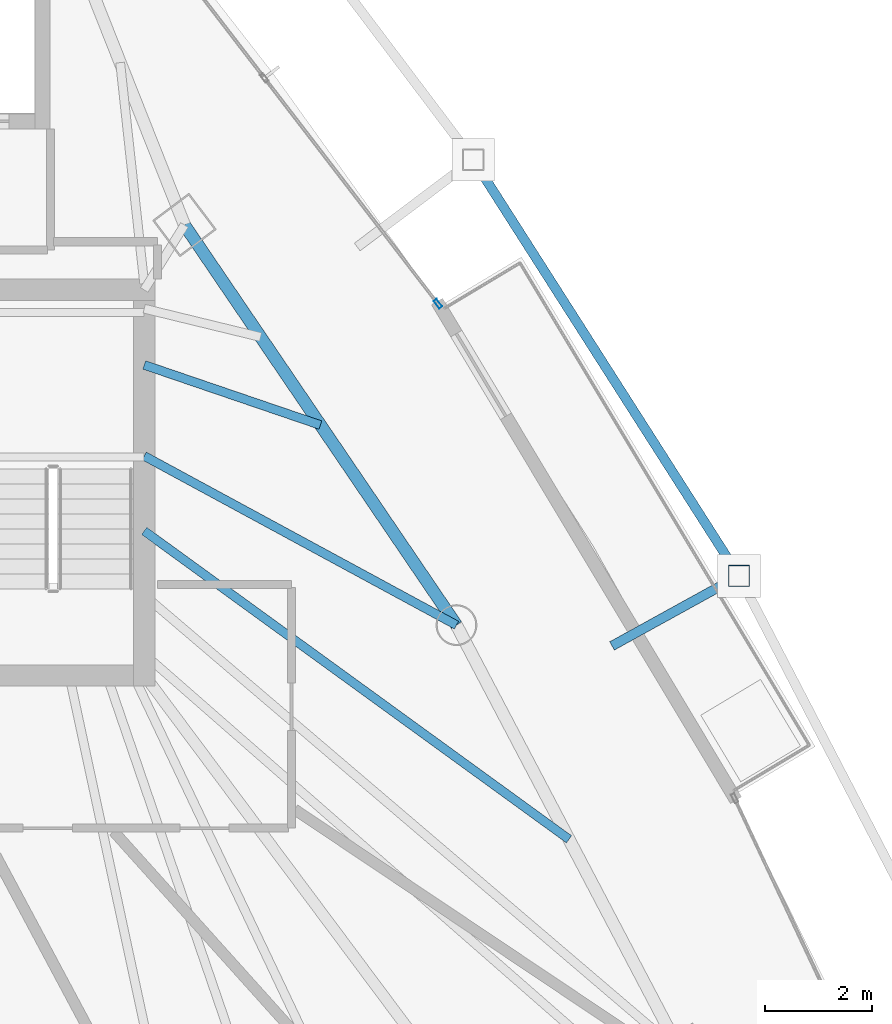
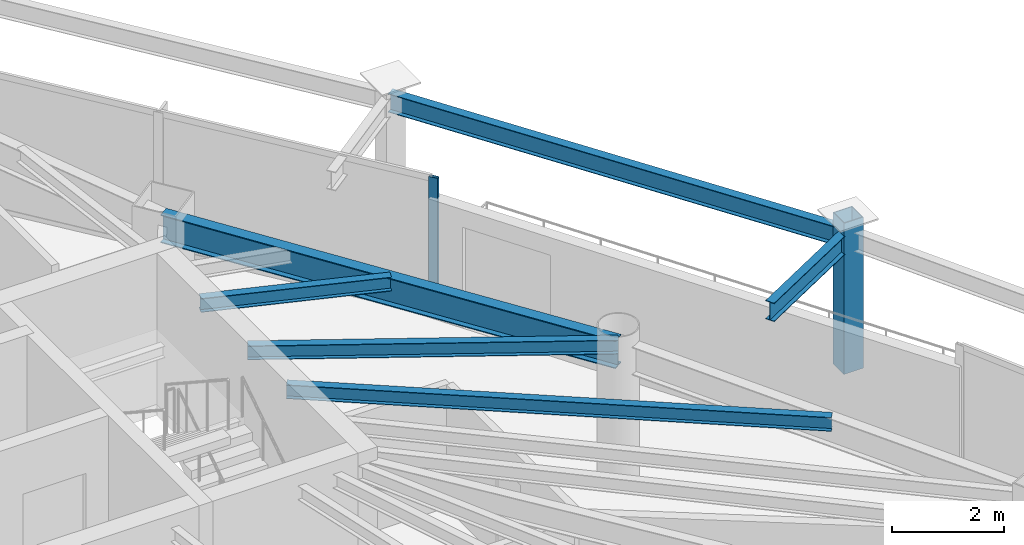
# One storey, part 20 of 31: 6 beams, 2 members, 1 element without a shape of its own.
"""IFC4 building model written with IfcOpenShell, lengths in metres."""

from ifc_helpers import new_model, si_unit, direction, frame, origin, origin_2d, place, context, subcontext, project, spatial, hollow_rectangle, i_section, extrude, material, layer, layer_set, material_profile, profile_set, type_object, element, aggregate, save


model = new_model("IFC4")

# Units and contexts
model_context = context("Model", 3, precision=1e-05, world=origin(), true_north=direction((0.0, 1.0)))
body_context = subcontext(model_context, "Body", "Model", "MODEL_VIEW")
ifc_project = project(units=[si_unit("LENGTHUNIT", "METRE"), si_unit("AREAUNIT", "SQUARE_METRE"), si_unit("VOLUMEUNIT", "CUBIC_METRE"), si_unit("PLANEANGLEUNIT", "RADIAN"), si_unit("MASSUNIT", "GRAM", prefix="KILO")], contexts=[model_context])

# Site, building, storey
site_placement = place(None, origin())
site = spatial("IfcSite", under=ifc_project, at=site_placement, CompositionType="ELEMENT")
building_placement = place(site_placement, origin())
building = spatial("IfcBuilding", under=site, at=building_placement, Name="Orvanel Arch Residences", CompositionType="ELEMENT")
storey_placement = place(building_placement, frame((0.0, 0.0, 183.64990234375)))
storey = spatial("IfcBuildingStorey", under=building, at=storey_placement, Name="L52", CompositionType="ELEMENT", Elevation=183.64990234375)

# Beams
ifc_material_1 = material(Name="Structural steel AS/NZS 3679.1 Grade 300 (300 MPa)", Category="steel")
ifc_material_profile_1 = material_profile(ifc_material_1, i_section(OverallWidth=0.1650390625, OverallDepth=0.303955078125, WebThickness=0.006103515625, FlangeThickness=0.01025390625, at=origin_2d()), Name="310UB40.4")
ifc_profile_set_1 = profile_set([ifc_material_profile_1], Name="Structural steel AS/NZS 3679.1 Grade 300 (300 MPa)")
beam_type_1 = type_object("IfcBeamType", Name="BJ-310UB", PredefinedType="JOIST", material=ifc_profile_set_1)
beam_1_placement = place(storey_placement, frame((39.60009765625, 30.800048828125, 2.8681640625), z_axis=(0.87925534649, -0.476350748576, 0.0), x_axis=(0.476350748576, 0.87925534649, 0.0)))
element("IfcBeam", 1, at=beam_1_placement, inside=storey, type_object=beam_type_1, Name="L52 NE Wing Floor Joist", PredefinedType="JOIST", context=body_context, shape_type="SweptSolid", body=[
    extrude(i_section(OverallWidth=0.1650390625, OverallDepth=0.303955078125, WebThickness=0.006103515625, FlangeThickness=0.01025390625, at=origin_2d()), origin(), (0.0, 0.0, 1.0), 6.631591796875),
])
beam_2_placement = place(storey_placement, frame((39.60009765625, 32.5, 2.8681640625), z_axis=(0.9464126781, -0.322959815969, 0.0), x_axis=(0.322959815969, 0.9464126781, 0.0)))
element("IfcBeam", 2, at=beam_2_placement, inside=storey, type_object=beam_type_1, Name="L52 ENE Wing Floor Joist", PredefinedType="JOIST", context=body_context, shape_type="SweptSolid", body=[
    extrude(i_section(OverallWidth=0.1650390625, OverallDepth=0.303955078125, WebThickness=0.006103515625, FlangeThickness=0.01025390625, at=origin_2d()), origin(), (0.0, 0.0, 1.0), 3.477294921875),
])
beam_3_placement = place(storey_placement, frame((39.60009765625, 29.39990234375, 2.8681640625), z_axis=(0.809261403954, -0.587448704203, 0.0), x_axis=(0.587448704203, 0.809261403954, 0.0)))
element("IfcBeam", 3, at=beam_3_placement, inside=storey, type_object=beam_type_1, Name="L52 CTE Wing Floor Joist", PredefinedType="JOIST", context=body_context, shape_type="SweptSolid", body=[
    extrude(i_section(OverallWidth=0.1650390625, OverallDepth=0.303955078125, WebThickness=0.006103515625, FlangeThickness=0.01025390625, at=origin_2d()), origin(), (0.0, 0.0, 1.0), 9.80126953125),
])

# Curtain wall, member
ifc_material_2 = material(Name="Bronze-anodised aluminium AA6063-T6", Category="aluminium")
ifc_layer = layer(ifc_material_2, 0.179931640625)
ifc_layer_set = layer_set([ifc_layer], Name="Bronze-anodised aluminium AA6063-T6")
curtain_wall_type = type_object("IfcCurtainWallType", Name="CW3-MID-SYS", PredefinedType="NOTDEFINED", material=ifc_layer_set)
curtain_wall_placement = place(storey_placement, origin())
curtain_wall = element("IfcCurtainWall", 4, at=curtain_wall_placement, inside=storey, type_object=curtain_wall_type, Name="L52 CW3-MID-SYS Unitised Curtain Wall", PredefinedType="NOTDEFINED")
ifc_material_profile_2 = material_profile(ifc_material_2, hollow_rectangle(XDim=0.070068359375, YDim=0.179931640625, WallThickness=0.00439453125, at=origin_2d()), Name="ALU180x70x4.5")
ifc_profile_set_2 = profile_set([ifc_material_profile_2], Name="Bronze-anodised aluminium AA6063-T6")
member_type_1 = type_object("IfcMemberType", Name="MUL-180x70", PredefinedType="MULLION", material=ifc_profile_set_2)
member_1_placement = place(storey_placement, frame((45.085693359375, 33.642822265625, 0.0), z_axis=(0.0, 0.0, 1.0), x_axis=(-0.792760568197, -0.609533166868, 0.0)))
member_1 = element("IfcMember", 5, at=member_1_placement, type_object=member_type_1, Name="CW-S3 mullion 1", PredefinedType="MULLION", context=body_context, shape_type="SweptSolid", body=[
    extrude(hollow_rectangle(XDim=0.070068359375, YDim=0.179931640625, WallThickness=0.00439453125, at=origin_2d()), origin(), (0.0, 0.0, 1.0), 3.02001953125),
])
aggregate(curtain_wall, [member_1])

# Beams
ifc_material_profile_3 = material_profile(ifc_material_1, i_section(OverallWidth=0.177978515625, OverallDepth=0.406005859375, WebThickness=0.0078125, FlangeThickness=0.0126953125, at=origin_2d()), Name="410UB59.7")
ifc_profile_set_3 = profile_set([ifc_material_profile_3], Name="Structural steel AS/NZS 3679.1 Grade 300 (300 MPa)")
beam_type_2 = type_object("IfcBeamType", Name="OB-410UB-EXT", PredefinedType="SPANDREL", material=ifc_profile_set_3)
beam_4_placement = place(storey_placement, frame((48.3359375, 27.2529296875, 2.817138671875), z_axis=(0.87565923778, 0.482929497226, 0.0), x_axis=(-0.482929497226, 0.87565923778, 0.0)))
element("IfcBeam", 6, at=beam_4_placement, inside=storey, type_object=beam_type_2, Name="L52 Outer Frame Radial Tie Beam 10", PredefinedType="SPANDREL", context=body_context, shape_type="SweptSolid", body=[
    extrude(i_section(OverallWidth=0.177978515625, OverallDepth=0.406005859375, WebThickness=0.0078125, FlangeThickness=0.0126953125, at=origin_2d()), origin(), (0.0, 0.0, 1.0), 2.706787109375),
])
beam_5_placement = place(storey_placement, frame((50.7060546875, 28.56005859375, 2.817138671875), z_axis=(-0.538137514727, 0.842857055047, 0.0), x_axis=(-0.842857055047, -0.538137514727, 0.0)))
element("IfcBeam", 7, at=beam_5_placement, inside=storey, type_object=beam_type_2, Name="L52 Outer Perimeter Floor Ring Beam 10", PredefinedType="SPANDREL", context=body_context, shape_type="SweptSolid", body=[
    extrude(i_section(OverallWidth=0.177978515625, OverallDepth=0.406005859375, WebThickness=0.0078125, FlangeThickness=0.0126953125, at=origin_2d()), origin(), (0.0, 0.0, 1.0), 9.220947265625),
])
ifc_material_profile_4 = material_profile(ifc_material_1, i_section(OverallWidth=0.22900390625, OverallDepth=0.612060546875, WebThickness=0.011962890625, FlangeThickness=0.01953125, at=origin_2d()), Name="610UB125")
ifc_profile_set_4 = profile_set([ifc_material_profile_4], Name="Structural steel AS/NZS 3679.1 Grade 300 (300 MPa)")
beam_type_3 = type_object("IfcBeamType", Name="SP-610UB", PredefinedType="SPANDREL", material=ifc_profile_set_4)
beam_6_placement = place(storey_placement, frame((45.430908203125, 27.64111328125, 2.714111328125), z_axis=(-0.562154793153, 0.827032035978, 0.0), x_axis=(-0.827032035978, -0.562154793153, 0.0)))
element("IfcBeam", 8, at=beam_6_placement, inside=storey, type_object=beam_type_3, Name="L52 Perimeter Spandrel Beam 12", PredefinedType="SPANDREL", context=body_context, shape_type="SweptSolid", body=[
    extrude(i_section(OverallWidth=0.22900390625, OverallDepth=0.612060546875, WebThickness=0.011962890625, FlangeThickness=0.01953125, at=origin_2d()), origin(), (0.0, 0.0, 1.0), 9.03466796875),
])

# Member
ifc_material_3 = material(Name="Structural steel AS/NZS 1163 C450L0 (Grade 450)", Category="steel")
ifc_material_profile_5 = material_profile(ifc_material_3, hollow_rectangle(XDim=0.39990234375, YDim=0.39990234375, WallThickness=0.01611328125, at=origin_2d()), Name="SHS400x400x16")
ifc_profile_set_5 = profile_set([ifc_material_profile_5], Name="Structural steel AS/NZS 1163 C450L0 (Grade 450)")
member_type_2 = type_object("IfcMemberType", Name="ST-400SHS-EXT", PredefinedType="STRUT", material=ifc_profile_set_5)
member_2_placement = place(storey_placement, frame((50.7060546875, 28.56005859375, 0.0), z_axis=(0.0, 0.0, 1.0), x_axis=(1.0, 0.0, 0.0)))
element("IfcMember", 9, at=member_2_placement, inside=storey, type_object=member_type_2, Name="L52 Outer Perimeter Frame Post 10", PredefinedType="STRUT", context=body_context, shape_type="SweptSolid", body=[
    extrude(hollow_rectangle(XDim=0.39990234375, YDim=0.39990234375, WallThickness=0.01611328125, at=origin_2d()), origin(), (0.0, 0.0, 1.0), 3.300048828125),
])

save(model, "model.ifc")
